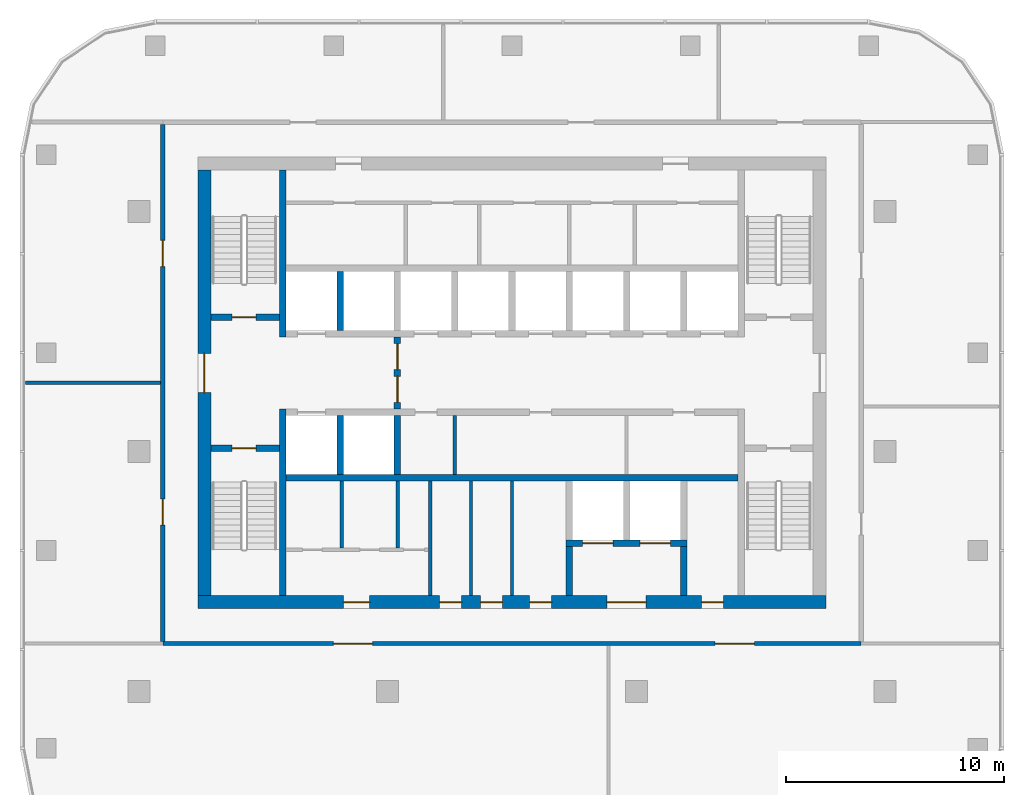
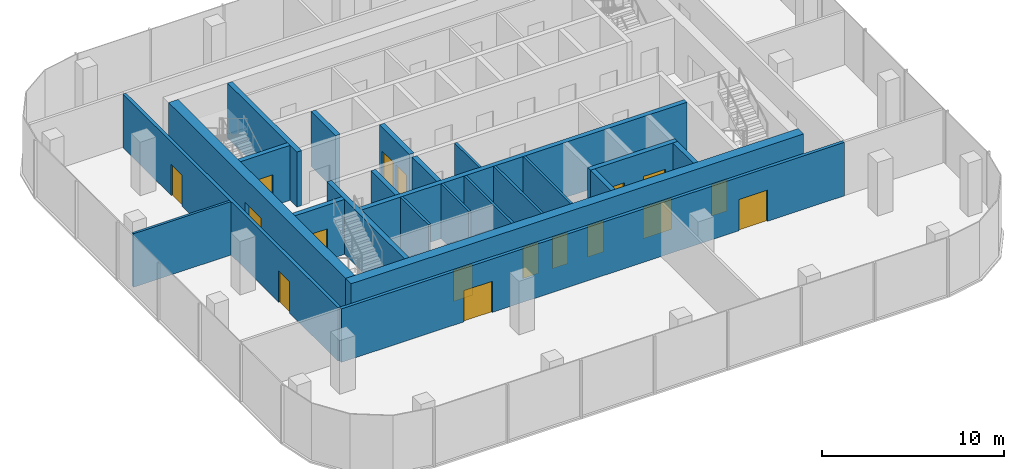
# One storey, part 6 of 9: 23 walls, 17 doors, 17 openings.
"""IFC4 building model written with IfcOpenShell, lengths in metres."""

from ifc_helpers import new_model, si_unit, direction, frame, frame_2d, origin, place, context, subcontext, project, spatial, rectangle, extrude, material, layer, layer_set, type_object, element, fill, save


model = new_model("IFC4")

# Units and contexts
model_context = context("Model", 3, precision=1e-05, world=origin(), true_north=direction((0.0, 1.0)))
body_context = subcontext(model_context, "Body", "Model", "MODEL_VIEW")
ifc_project = project(units=[si_unit("LENGTHUNIT", "METRE"), si_unit("AREAUNIT", "SQUARE_METRE"), si_unit("VOLUMEUNIT", "CUBIC_METRE"), si_unit("PLANEANGLEUNIT", "RADIAN"), si_unit("MASSUNIT", "GRAM", prefix="KILO")], contexts=[model_context])

# Site, building, storey
site_placement = place(None, origin())
site = spatial("IfcSite", under=ifc_project, at=site_placement, CompositionType="ELEMENT")
building_placement = place(site_placement, origin())
building = spatial("IfcBuilding", under=site, at=building_placement, Name="Mopane Tessera Tower", CompositionType="ELEMENT")
storey_placement = place(building_placement, frame((0.0, 0.0, 353.39990234375)))
storey = spatial("IfcBuildingStorey", under=building, at=storey_placement, Name="L77", CompositionType="ELEMENT", Elevation=353.39990234375)

# Walls
ifc_material_1 = material(Name="Fire-rated gypsum board partition")
ifc_layer_1 = layer(ifc_material_1, 0.14990234375)
ifc_layer_set_1 = layer_set([ifc_layer_1], Name="Fire-rated gypsum board partition")
wall_type_1 = type_object("IfcWallType", Name="Core room partition 150 mm", PredefinedType="PARTITIONING", material=ifc_layer_set_1)
for number, where, z_axis, x_axis, name in (
    (1, (-7.800048828125, -4.425048828125, 0.0), (0.0, 0.0, 1.0), (0.0, 1.0, 0.0), "L77 WC partition"),
    (2, (-5.235107421875, -4.425048828125, 0.0), (0.0, 0.0, 1.0), (0.0, 1.0, 0.0), "L77 WC partition"),
):
    element("IfcWall", number, at=place(storey_placement, frame(where, z_axis=z_axis, x_axis=x_axis)), inside=storey, type_object=wall_type_1, Name=name, PredefinedType="PARTITIONING", context=body_context, shape_type="SweptSolid", body=[
        extrude(rectangle(XDim=3.074951171875, YDim=0.14990234375, at=frame_2d((1.53759765625, 0.0))), origin(), (0.0, 0.0, 1.0), 3.7001953125),
    ])
for number, where, z_axis, x_axis, name in (
    (3, (-3.75, -6.60009765625, 0.0), (0.0, 0.0, 1.0), (0.0, 1.0, 0.0), "L77 Room partition"),
    (4, (-1.875, -6.60009765625, 0.0), (0.0, 0.0, 1.0), (0.0, 1.0, 0.0), "L77 Room partition"),
    (5, (0.0, -6.60009765625, 0.0), (0.0, 0.0, 1.0), (0.0, 1.0, 0.0), "L77 Room partition"),
):
    element("IfcWall", number, at=place(storey_placement, frame(where, z_axis=z_axis, x_axis=x_axis)), inside=storey, type_object=wall_type_1, Name=name, PredefinedType="PARTITIONING", context=body_context, shape_type="SweptSolid", body=[
        extrude(rectangle(XDim=5.25, YDim=0.14990234375, at=frame_2d((2.625, 0.0))), origin(), (0.0, 0.0, 1.0), 3.7001953125),
    ])
wall_1_placement = place(storey_placement, frame((-2.625, -1.050048828125, 0.0), z_axis=(0.0, 0.0, 1.0), x_axis=(0.0, 1.0, 0.0)))
element("IfcWall", 6, at=wall_1_placement, inside=storey, type_object=wall_type_1, Name="L77 Room partition", PredefinedType="PARTITIONING", context=body_context, shape_type="SweptSolid", body=[
    extrude(rectangle(XDim=2.699951171875, YDim=0.14990234375, at=frame_2d((1.35009765625, 0.0))), origin(), (0.0, 0.0, 1.0), 3.7001953125),
])

# Wall, openings, doors
ifc_material_2 = material(Name="Concrete C70/85", Category="concrete")
ifc_layer_2 = layer(ifc_material_2, 0.60009765625)
ifc_layer_set_2 = layer_set([ifc_layer_2], Name="Concrete C70/85")
wall_type_2 = type_object("IfcWallType", Name="Core shear wall 600 mm", PredefinedType="SHEAR", material=ifc_layer_set_2)
wall_2_placement = place(storey_placement, frame((-14.39990234375, -6.89990234375, 0.0), z_axis=(0.0, 0.0, 1.0), x_axis=(1.0, 0.0, 0.0)))
wall_2 = element("IfcWall", 7, at=wall_2_placement, inside=storey, type_object=wall_type_2, Name="L77 Core wall south", PredefinedType="SHEAR", context=body_context, shape_type="SweptSolid", body=[
    extrude(rectangle(XDim=28.7998046875, YDim=0.60009765625, at=frame_2d((14.39990234375, 0.0))), origin(), (0.0, 0.0, 1.0), 3.7001953125),
])
opening_1_placement = place(wall_2_placement, frame((6.675048828125, 0.0, 0.0)))
opening_1 = element("IfcOpeningElement", 8, at=opening_1_placement, cuts=wall_2, Name="Opening WD3", PredefinedType="OPENING", context=body_context, shape_type="SweptSolid", body=[
    extrude(rectangle(XDim=1.199951171875, YDim=2.10009765625, at=frame_2d((0.60009765625, 1.050048828125))), frame((0.0, 0.31201171875, 0.0), z_axis=(0.0, -1.0, 0.0), x_axis=(1.0, 0.0, 0.0)), (0.0, 0.0, 1.0), 0.6240234375),
])
opening_2_placement = place(wall_2_placement, frame((11.08740234375, 0.0, 0.0)))
opening_2 = element("IfcOpeningElement", 9, at=opening_2_placement, cuts=wall_2, Name="Opening RD1", PredefinedType="OPENING", context=body_context, shape_type="SweptSolid", body=[
    extrude(rectangle(XDim=1.0, YDim=2.10009765625, at=frame_2d((0.5, 1.050048828125))), frame((0.0, 0.31201171875, 0.0), z_axis=(0.0, -1.0, 0.0), x_axis=(1.0, 0.0, 0.0)), (0.0, 0.0, 1.0), 0.6240234375),
])
opening_3_placement = place(wall_2_placement, frame((12.96240234375, 0.0, 0.0)))
opening_3 = element("IfcOpeningElement", 10, at=opening_3_placement, cuts=wall_2, Name="Opening RD1", PredefinedType="OPENING", context=body_context, shape_type="SweptSolid", body=[
    extrude(rectangle(XDim=1.0, YDim=2.10009765625, at=frame_2d((0.5, 1.050048828125))), frame((0.0, 0.31201171875, 0.0), z_axis=(0.0, -1.0, 0.0), x_axis=(1.0, 0.0, 0.0)), (0.0, 0.0, 1.0), 0.6240234375),
])
opening_4_placement = place(wall_2_placement, frame((15.21240234375, 0.0, 0.0)))
opening_4 = element("IfcOpeningElement", 11, at=opening_4_placement, cuts=wall_2, Name="Opening RD1", PredefinedType="OPENING", context=body_context, shape_type="SweptSolid", body=[
    extrude(rectangle(XDim=1.0, YDim=2.10009765625, at=frame_2d((0.5, 1.050048828125))), frame((0.0, 0.31201171875, 0.0), z_axis=(0.0, -1.0, 0.0), x_axis=(1.0, 0.0, 0.0)), (0.0, 0.0, 1.0), 0.6240234375),
])
opening_5_placement = place(wall_2_placement, frame((18.75, 0.0, 0.0)))
opening_5 = element("IfcOpeningElement", 12, at=opening_5_placement, cuts=wall_2, Name="Opening SD2", PredefinedType="OPENING", context=body_context, shape_type="SweptSolid", body=[
    extrude(rectangle(XDim=1.800048828125, YDim=2.10009765625, at=frame_2d((0.89990234375, 1.050048828125))), frame((0.0, 0.31201171875, 0.0), z_axis=(0.0, -1.0, 0.0), x_axis=(1.0, 0.0, 0.0)), (0.0, 0.0, 1.0), 0.6240234375),
])
opening_6_placement = place(wall_2_placement, frame((23.08740234375, 0.0, 0.0)))
opening_6 = element("IfcOpeningElement", 13, at=opening_6_placement, cuts=wall_2, Name="Opening RD1", PredefinedType="OPENING", context=body_context, shape_type="SweptSolid", body=[
    extrude(rectangle(XDim=1.0, YDim=2.10009765625, at=frame_2d((0.5, 1.050048828125))), frame((0.0, 0.31201171875, 0.0), z_axis=(0.0, -1.0, 0.0), x_axis=(1.0, 0.0, 0.0)), (0.0, 0.0, 1.0), 0.6240234375),
])
ifc_material_3 = material(Name="Steel fire door", Category="steel")
door_type_1 = type_object("IfcDoorType", Name="Core entrance double door 1800 x 2100", OperationType="DOUBLE_DOOR_SINGLE_SWING", PredefinedType="DOOR", material=ifc_material_3)
door_1_placement = place(opening_5_placement, origin())
door_1 = element("IfcDoor", 14, at=door_1_placement, inside=storey, type_object=door_type_1, Name="L77 Service lobby door", OperationType="DOUBLE_DOOR_SINGLE_SWING", OverallHeight=2.10009765625, OverallWidth=1.800048828125, PredefinedType="DOOR", context=body_context, shape_type="SweptSolid", body=[
    extrude(rectangle(XDim=1.800048828125, YDim=2.10009765625, at=frame_2d((0.89990234375, 1.050048828125))), frame((0.0, 0.02490234375, 0.0), z_axis=(0.0, -1.0, 0.0), x_axis=(1.0, 0.0, 0.0)), (0.0, 0.0, 1.0), 0.050048828125),
])
fill(opening_5, door_1)
ifc_material_4 = material(Name="Timber door", Category="wood")
door_type_2 = type_object("IfcDoorType", Name="Core room door 1000 x 2100", OperationType="SINGLE_SWING_LEFT", PredefinedType="DOOR", material=ifc_material_4)
door_2_placement = place(opening_2_placement, origin())
door_2 = element("IfcDoor", 15, at=door_2_placement, inside=storey, type_object=door_type_2, Name="L77 Room door", OperationType="SINGLE_SWING_LEFT", OverallHeight=2.10009765625, OverallWidth=1.0, PredefinedType="DOOR", context=body_context, shape_type="SweptSolid", body=[
    extrude(rectangle(XDim=1.0, YDim=2.10009765625, at=frame_2d((0.5, 1.050048828125))), frame((0.0, 0.02490234375, 0.0), z_axis=(0.0, -1.0, 0.0), x_axis=(1.0, 0.0, 0.0)), (0.0, 0.0, 1.0), 0.050048828125),
])
fill(opening_2, door_2)
door_3_placement = place(opening_3_placement, origin())
door_3 = element("IfcDoor", 16, at=door_3_placement, inside=storey, type_object=door_type_2, Name="L77 Room door", OperationType="SINGLE_SWING_LEFT", OverallHeight=2.10009765625, OverallWidth=1.0, PredefinedType="DOOR", context=body_context, shape_type="SweptSolid", body=[
    extrude(rectangle(XDim=1.0, YDim=2.10009765625, at=frame_2d((0.5, 1.050048828125))), frame((0.0, 0.02490234375, 0.0), z_axis=(0.0, -1.0, 0.0), x_axis=(1.0, 0.0, 0.0)), (0.0, 0.0, 1.0), 0.050048828125),
])
fill(opening_3, door_3)
door_4_placement = place(opening_4_placement, origin())
door_4 = element("IfcDoor", 17, at=door_4_placement, inside=storey, type_object=door_type_2, Name="L77 Room door", OperationType="SINGLE_SWING_LEFT", OverallHeight=2.10009765625, OverallWidth=1.0, PredefinedType="DOOR", context=body_context, shape_type="SweptSolid", body=[
    extrude(rectangle(XDim=1.0, YDim=2.10009765625, at=frame_2d((0.5, 1.050048828125))), frame((0.0, 0.02490234375, 0.0), z_axis=(0.0, -1.0, 0.0), x_axis=(1.0, 0.0, 0.0)), (0.0, 0.0, 1.0), 0.050048828125),
])
fill(opening_4, door_4)
door_5_placement = place(opening_6_placement, origin())
door_5 = element("IfcDoor", 18, at=door_5_placement, inside=storey, type_object=door_type_2, Name="L77 Room door", OperationType="SINGLE_SWING_LEFT", OverallHeight=2.10009765625, OverallWidth=1.0, PredefinedType="DOOR", context=body_context, shape_type="SweptSolid", body=[
    extrude(rectangle(XDim=1.0, YDim=2.10009765625, at=frame_2d((0.5, 1.050048828125))), frame((0.0, 0.02490234375, 0.0), z_axis=(0.0, -1.0, 0.0), x_axis=(1.0, 0.0, 0.0)), (0.0, 0.0, 1.0), 0.050048828125),
])
fill(opening_6, door_5)
ifc_material_5 = material(Name="Timber door", Category="wood")
door_type_3 = type_object("IfcDoorType", Name="WC lobby door 1200 x 2100", OperationType="SINGLE_SWING_LEFT", PredefinedType="DOOR", material=ifc_material_5)
door_6_placement = place(opening_1_placement, origin())
door_6 = element("IfcDoor", 19, at=door_6_placement, inside=storey, type_object=door_type_3, Name="L77 WC lobby door", OperationType="SINGLE_SWING_LEFT", OverallHeight=2.10009765625, OverallWidth=1.199951171875, PredefinedType="DOOR", context=body_context, shape_type="SweptSolid", body=[
    extrude(rectangle(XDim=1.199951171875, YDim=2.10009765625, at=frame_2d((0.60009765625, 1.050048828125))), frame((0.0, 0.02490234375, 0.0), z_axis=(0.0, -1.0, 0.0), x_axis=(1.0, 0.0, 0.0)), (0.0, 0.0, 1.0), 0.050048828125),
])
fill(opening_1, door_6)

# Wall, opening, door
wall_3_placement = place(storey_placement, frame((-14.10009765625, -6.60009765625, 0.0), z_axis=(0.0, 0.0, 1.0), x_axis=(0.0, 1.0, 0.0)))
wall_3 = element("IfcWall", 20, at=wall_3_placement, inside=storey, type_object=wall_type_2, Name="L77 Core wall west", PredefinedType="SHEAR", context=body_context, shape_type="SweptSolid", body=[
    extrude(rectangle(XDim=19.5, YDim=0.60009765625, at=frame_2d((9.75, 0.0))), origin(), (0.0, 0.0, 1.0), 3.7001953125),
])
opening_7_placement = place(wall_3_placement, frame((9.300048828125, 0.0, 0.0)))
opening_7 = element("IfcOpeningElement", 21, at=opening_7_placement, cuts=wall_3, Name="Opening SD2", PredefinedType="OPENING", context=body_context, shape_type="SweptSolid", body=[
    extrude(rectangle(XDim=1.800048828125, YDim=2.10009765625, at=frame_2d((0.89990234375, 1.050048828125))), frame((0.0, 0.31201171875, 0.0), z_axis=(0.0, -1.0, 0.0), x_axis=(1.0, 0.0, 0.0)), (0.0, 0.0, 1.0), 0.6240234375),
])
door_7_placement = place(opening_7_placement, origin())
door_7 = element("IfcDoor", 22, at=door_7_placement, inside=storey, type_object=door_type_1, Name="L77 Core entrance door west", OperationType="DOUBLE_DOOR_SINGLE_SWING", OverallHeight=2.10009765625, OverallWidth=1.800048828125, PredefinedType="DOOR", context=body_context, shape_type="SweptSolid", body=[
    extrude(rectangle(XDim=1.800048828125, YDim=2.10009765625, at=frame_2d((0.89990234375, 1.050048828125))), frame((0.0, 0.02490234375, 0.0), z_axis=(0.0, -1.0, 0.0), x_axis=(1.0, 0.0, 0.0)), (0.0, 0.0, 1.0), 0.050048828125),
])
fill(opening_7, door_7)

# Walls
ifc_material_6 = material(Name="Concrete C60/75", Category="concrete")
ifc_layer_3 = layer(ifc_material_6, 0.300048828125)
ifc_layer_set_3 = layer_set([ifc_layer_3], Name="Concrete C60/75")
wall_type_3 = type_object("IfcWallType", Name="Core spine wall 300 mm", PredefinedType="SHEAR", material=ifc_layer_set_3)
wall_4_placement = place(storey_placement, frame((-10.5, -6.60009765625, 0.0), z_axis=(0.0, 0.0, 1.0), x_axis=(0.0, 1.0, 0.0)))
element("IfcWall", 23, at=wall_4_placement, inside=storey, type_object=wall_type_3, Name="L77 Core spine wall", PredefinedType="SHEAR", context=body_context, shape_type="SweptSolid", body=[
    extrude(rectangle(XDim=8.550048828125, YDim=0.300048828125, at=frame_2d((4.27490234375, 0.0))), origin(), (0.0, 0.0, 1.0), 3.7001953125),
])
wall_5_placement = place(storey_placement, frame((-10.5, 5.25, 0.0), z_axis=(0.0, 0.0, 1.0), x_axis=(0.0, 1.0, 0.0)))
element("IfcWall", 24, at=wall_5_placement, inside=storey, type_object=wall_type_3, Name="L77 Core spine wall", PredefinedType="SHEAR", context=body_context, shape_type="SweptSolid", body=[
    extrude(rectangle(XDim=7.64990234375, YDim=0.300048828125, at=frame_2d((3.824951171875, 0.0))), origin(), (0.0, 0.0, 1.0), 3.7001953125),
])

# Wall, openings, doors
ifc_material_7 = material(Name="Gypsum board on steel studs, two layers each face, mineral wool infill", Category="steel")
ifc_layer_4 = layer(ifc_material_7, 0.199951171875)
ifc_layer_set_4 = layer_set([ifc_layer_4], Name="Gypsum board on steel studs, two layers each face, mineral wool infill")
wall_type_4 = type_object("IfcWallType", Name="Gypsum board corridor wall 200, rated EI 60", PredefinedType="PARTITIONING", material=ifc_layer_set_4)
wall_6_placement = place(storey_placement, frame((-16.0, -8.800048828125, 0.0), z_axis=(0.0, 0.0, 1.0), x_axis=(1.0, 0.0, 0.0)))
wall_6 = element("IfcWall", 25, at=wall_6_placement, inside=storey, type_object=wall_type_4, Name="Partition L77:002", PredefinedType="PARTITIONING", context=body_context, shape_type="SweptSolid", body=[
    extrude(rectangle(XDim=32.0, YDim=0.199951171875, at=frame_2d((16.0, 0.0))), origin(), (0.0, 0.0, 1.0), 3.60009765625),
])
opening_8_placement = place(wall_6_placement, frame((25.31005859375, 0.0, 0.0)))
opening_8 = element("IfcOpeningElement", 26, at=opening_8_placement, cuts=wall_6, Name="Opening L77-05", PredefinedType="OPENING", context=body_context, shape_type="SweptSolid", body=[
    extrude(rectangle(XDim=1.800048828125, YDim=2.10009765625, at=frame_2d((0.89990234375, 1.050048828125))), frame((0.0, 0.112060546875, 0.0), z_axis=(0.0, -1.0, 0.0), x_axis=(1.0, 0.0, 0.0)), (0.0, 0.0, 1.0), 0.223876953125),
])
opening_9_placement = place(wall_6_placement, frame((7.81005859375, 0.0, 0.0)))
opening_9 = element("IfcOpeningElement", 27, at=opening_9_placement, cuts=wall_6, Name="Opening L77-08", PredefinedType="OPENING", context=body_context, shape_type="SweptSolid", body=[
    extrude(rectangle(XDim=1.800048828125, YDim=2.10009765625, at=frame_2d((0.89990234375, 1.050048828125))), frame((0.0, 0.112060546875, 0.0), z_axis=(0.0, -1.0, 0.0), x_axis=(1.0, 0.0, 0.0)), (0.0, 0.0, 1.0), 0.223876953125),
])
ifc_material_8 = material(Name="Timber veneered steel-framed fire door", Category="steel")
door_type_4 = type_object("IfcDoorType", Name="Fire door pair FD60 1800 x 2100", OperationType="DOUBLE_DOOR_SINGLE_SWING", PredefinedType="DOOR", material=ifc_material_8)
door_8_placement = place(opening_8_placement, origin())
door_8 = element("IfcDoor", 28, at=door_8_placement, inside=storey, type_object=door_type_4, Name="Door L77-05", ObjectType="D20A", OperationType="DOUBLE_DOOR_SINGLE_SWING", OverallHeight=2.10009765625, OverallWidth=1.800048828125, PredefinedType="DOOR", context=body_context, shape_type="SweptSolid", body=[
    extrude(rectangle(XDim=1.800048828125, YDim=2.10009765625, at=frame_2d((0.89990234375, 1.050048828125))), frame((0.0, 0.02490234375, 0.0), z_axis=(0.0, -1.0, 0.0), x_axis=(1.0, 0.0, 0.0)), (0.0, 0.0, 1.0), 0.050048828125),
])
fill(opening_8, door_8)
door_9_placement = place(opening_9_placement, origin())
door_9 = element("IfcDoor", 29, at=door_9_placement, inside=storey, type_object=door_type_4, Name="Door L77-08", ObjectType="D20A", OperationType="DOUBLE_DOOR_SINGLE_SWING", OverallHeight=2.10009765625, OverallWidth=1.800048828125, PredefinedType="DOOR", context=body_context, shape_type="SweptSolid", body=[
    extrude(rectangle(XDim=1.800048828125, YDim=2.10009765625, at=frame_2d((0.89990234375, 1.050048828125))), frame((0.0, 0.02490234375, 0.0), z_axis=(0.0, -1.0, 0.0), x_axis=(1.0, 0.0, 0.0)), (0.0, 0.0, 1.0), 0.050048828125),
])
fill(opening_9, door_9)

wall_7_placement = place(storey_placement, frame((-16.0, -8.699951171875, 0.0), z_axis=(0.0, 0.0, 1.0), x_axis=(0.0, 1.0, 0.0)))
wall_7 = element("IfcWall", 30, at=wall_7_placement, inside=storey, type_object=wall_type_4, Name="Partition L77:008", PredefinedType="PARTITIONING", context=body_context, shape_type="SweptSolid", body=[
    extrude(rectangle(XDim=23.699951171875, YDim=0.199951171875, at=frame_2d((11.85009765625, 0.0))), origin(), (0.0, 0.0, 1.0), 3.60009765625),
])
opening_10_placement = place(wall_7_placement, frame((5.324951171875, 0.0, 0.0)))
opening_10 = element("IfcOpeningElement", 31, at=opening_10_placement, cuts=wall_7, Name="Opening L77-04", PredefinedType="OPENING", context=body_context, shape_type="SweptSolid", body=[
    extrude(rectangle(XDim=1.199951171875, YDim=2.10009765625, at=frame_2d((0.60009765625, 1.050048828125))), frame((0.0, 0.112060546875, 0.0), z_axis=(0.0, -1.0, 0.0), x_axis=(1.0, 0.0, 0.0)), (0.0, 0.0, 1.0), 0.223876953125),
])
opening_11_placement = place(wall_7_placement, frame((17.175048828125, 0.0, 0.0)))
opening_11 = element("IfcOpeningElement", 32, at=opening_11_placement, cuts=wall_7, Name="Opening L77-09", PredefinedType="OPENING", context=body_context, shape_type="SweptSolid", body=[
    extrude(rectangle(XDim=1.199951171875, YDim=2.10009765625, at=frame_2d((0.60009765625, 1.050048828125))), frame((0.0, 0.112060546875, 0.0), z_axis=(0.0, -1.0, 0.0), x_axis=(1.0, 0.0, 0.0)), (0.0, 0.0, 1.0), 0.223876953125),
])
ifc_material_9 = material(Name="Timber veneered steel-framed fire door", Category="steel")
door_type_5 = type_object("IfcDoorType", Name="Fire door FD60 1200 x 2100", OperationType="SINGLE_SWING_LEFT", PredefinedType="DOOR", material=ifc_material_9)
door_10_placement = place(opening_10_placement, origin())
door_10 = element("IfcDoor", 33, at=door_10_placement, inside=storey, type_object=door_type_5, Name="Door L77-04", ObjectType="D15A", OperationType="SINGLE_SWING_LEFT", OverallHeight=2.10009765625, OverallWidth=1.199951171875, PredefinedType="DOOR", context=body_context, shape_type="SweptSolid", body=[
    extrude(rectangle(XDim=1.199951171875, YDim=2.10009765625, at=frame_2d((0.60009765625, 1.050048828125))), frame((0.0, 0.02490234375, 0.0), z_axis=(0.0, -1.0, 0.0), x_axis=(1.0, 0.0, 0.0)), (0.0, 0.0, 1.0), 0.050048828125),
])
fill(opening_10, door_10)
door_11_placement = place(opening_11_placement, origin())
door_11 = element("IfcDoor", 34, at=door_11_placement, inside=storey, type_object=door_type_5, Name="Door L77-09", ObjectType="D15A", OperationType="SINGLE_SWING_RIGHT", OverallHeight=2.10009765625, OverallWidth=1.199951171875, PredefinedType="DOOR", context=body_context, shape_type="SweptSolid", body=[
    extrude(rectangle(XDim=1.199951171875, YDim=2.10009765625, at=frame_2d((0.60009765625, 1.050048828125))), frame((0.0, 0.02490234375, 0.0), z_axis=(0.0, -1.0, 0.0), x_axis=(1.0, 0.0, 0.0)), (0.0, 0.0, 1.0), 0.050048828125),
])
fill(opening_11, door_11)

# Wall
ifc_material_10 = material(Name="Gypsum board on steel studs, mineral wool infill", Category="steel")
ifc_layer_5 = layer(ifc_material_10, 0.14990234375)
ifc_layer_set_5 = layer_set([ifc_layer_5], Name="Gypsum board on steel studs, mineral wool infill")
wall_type_5 = type_object("IfcWallType", Name="Gypsum board partition 150, rated EI 60", PredefinedType="PARTITIONING", material=ifc_layer_set_5)
wall_8_placement = place(storey_placement, frame((-22.300048828125, 3.14990234375, 0.0), z_axis=(0.0, 0.0, 1.0), x_axis=(1.0, 0.0, 0.0)))
element("IfcWall", 35, at=wall_8_placement, inside=storey, type_object=wall_type_5, Name="Partition L77:004", PredefinedType="PARTITIONING", context=body_context, shape_type="SweptSolid", body=[
    extrude(rectangle(XDim=6.199951171875, YDim=0.14990234375, at=frame_2d((3.10009765625, 0.0))), origin(), (0.0, 0.0, 1.0), 3.60009765625),
])

# Wall, opening, door
ifc_material_11 = material(Name="Concrete C50/60", Category="concrete")
ifc_layer_6 = layer(ifc_material_11, 0.300048828125)
ifc_layer_set_6 = layer_set([ifc_layer_6], Name="Concrete C50/60")
wall_type_6 = type_object("IfcWallType", Name="Lift and stair shaft wall 300 mm", PredefinedType="SOLIDWALL", material=ifc_layer_set_6)
wall_9_placement = place(storey_placement, frame((-13.800048828125, 0.14990234375, 0.0), z_axis=(0.0, 0.0, 1.0), x_axis=(1.0, 0.0, 0.0)))
wall_9 = element("IfcWall", 36, at=wall_9_placement, inside=storey, type_object=wall_type_6, Name="L77 Stair enclosure wall", PredefinedType="SOLIDWALL", context=body_context, shape_type="SweptSolid", body=[
    extrude(rectangle(XDim=3.150146484375, YDim=0.300048828125, at=frame_2d((1.5751953125, 0.0))), origin(), (0.0, 0.0, 1.0), 3.7001953125),
])
opening_12_placement = place(wall_9_placement, frame((0.97509765625, 0.0, 0.0)))
opening_12 = element("IfcOpeningElement", 37, at=opening_12_placement, cuts=wall_9, Name="Opening SD1", PredefinedType="OPENING", context=body_context, shape_type="SweptSolid", body=[
    extrude(rectangle(XDim=1.10009765625, YDim=2.10009765625, at=frame_2d((0.550048828125, 1.050048828125))), frame((0.0, 0.162109375, 0.0), z_axis=(0.0, -1.0, 0.0), x_axis=(1.0, 0.0, 0.0)), (0.0, 0.0, 1.0), 0.323974609375),
])
ifc_material_12 = material(Name="Steel fire door", Category="steel")
door_type_6 = type_object("IfcDoorType", Name="Stair fire door 1100 x 2100", OperationType="SINGLE_SWING_LEFT", PredefinedType="DOOR", material=ifc_material_12)
door_12_placement = place(opening_12_placement, origin())
door_12 = element("IfcDoor", 38, at=door_12_placement, inside=storey, type_object=door_type_6, Name="L77 Stair door ST1", OperationType="SINGLE_SWING_LEFT", OverallHeight=2.10009765625, OverallWidth=1.10009765625, PredefinedType="DOOR", context=body_context, shape_type="SweptSolid", body=[
    extrude(rectangle(XDim=1.10009765625, YDim=2.10009765625, at=frame_2d((0.550048828125, 1.050048828125))), frame((0.0, 0.02490234375, 0.0), z_axis=(0.0, -1.0, 0.0), x_axis=(1.0, 0.0, 0.0)), (0.0, 0.0, 1.0), 0.050048828125),
])
fill(opening_12, door_12)

wall_10_placement = place(storey_placement, frame((-13.800048828125, 6.14990234375, 0.0), z_axis=(0.0, 0.0, 1.0), x_axis=(1.0, 0.0, 0.0)))
wall_10 = element("IfcWall", 39, at=wall_10_placement, inside=storey, type_object=wall_type_6, Name="L77 Stair enclosure wall", PredefinedType="SOLIDWALL", context=body_context, shape_type="SweptSolid", body=[
    extrude(rectangle(XDim=3.150146484375, YDim=0.300048828125, at=frame_2d((1.5751953125, 0.0))), origin(), (0.0, 0.0, 1.0), 3.7001953125),
])
opening_13_placement = place(wall_10_placement, frame((0.97509765625, 0.0, 0.0)))
opening_13 = element("IfcOpeningElement", 40, at=opening_13_placement, cuts=wall_10, Name="Opening SD1", PredefinedType="OPENING", context=body_context, shape_type="SweptSolid", body=[
    extrude(rectangle(XDim=1.10009765625, YDim=2.10009765625, at=frame_2d((0.550048828125, 1.050048828125))), frame((0.0, 0.162109375, 0.0), z_axis=(0.0, -1.0, 0.0), x_axis=(1.0, 0.0, 0.0)), (0.0, 0.0, 1.0), 0.323974609375),
])
door_13_placement = place(opening_13_placement, origin())
door_13 = element("IfcDoor", 41, at=door_13_placement, inside=storey, type_object=door_type_6, Name="L77 Stair door ST2", OperationType="SINGLE_SWING_LEFT", OverallHeight=2.10009765625, OverallWidth=1.10009765625, PredefinedType="DOOR", context=body_context, shape_type="SweptSolid", body=[
    extrude(rectangle(XDim=1.10009765625, YDim=2.10009765625, at=frame_2d((0.550048828125, 1.050048828125))), frame((0.0, 0.02490234375, 0.0), z_axis=(0.0, -1.0, 0.0), x_axis=(1.0, 0.0, 0.0)), (0.0, 0.0, 1.0), 0.050048828125),
])
fill(opening_13, door_13)

# Walls
wall_11_placement = place(storey_placement, frame((-10.35009765625, -1.199951171875, 0.0), z_axis=(0.0, 0.0, 1.0), x_axis=(1.0, 0.0, 0.0)))
element("IfcWall", 42, at=wall_11_placement, inside=storey, type_object=wall_type_6, Name="L77 Lift shaft rear wall", PredefinedType="SOLIDWALL", context=body_context, shape_type="SweptSolid", body=[
    extrude(rectangle(XDim=20.7001953125, YDim=0.300048828125, at=frame_2d((10.35009765625, 0.0))), origin(), (0.0, 0.0, 1.0), 3.7001953125),
])
for number, where, z_axis, x_axis, name in (
    (43, (-7.875, -1.050048828125, 0.0), (0.0, 0.0, 1.0), (0.0, 1.0, 0.0), "L77 Lift shaft wall"),
    (44, (-5.25, -1.050048828125, 0.0), (0.0, 0.0, 1.0), (0.0, 1.0, 0.0), "L77 Lift shaft wall"),
    (45, (-7.875, 5.550048828125, 0.0), (0.0, 0.0, 1.0), (0.0, 1.0, 0.0), "L77 Lift shaft wall"),
):
    element("IfcWall", number, at=place(storey_placement, frame(where, z_axis=z_axis, x_axis=x_axis)), inside=storey, type_object=wall_type_6, Name=name, PredefinedType="SOLIDWALL", context=body_context, shape_type="SweptSolid", body=[
        extrude(rectangle(XDim=2.699951171875, YDim=0.300048828125, at=frame_2d((1.35009765625, 0.0))), origin(), (0.0, 0.0, 1.0), 3.7001953125),
    ])

# Wall, openings, doors
wall_12_placement = place(storey_placement, frame((2.47509765625, -4.199951171875, 0.0), z_axis=(0.0, 0.0, 1.0), x_axis=(1.0, 0.0, 0.0)))
wall_12 = element("IfcWall", 46, at=wall_12_placement, inside=storey, type_object=wall_type_6, Name="L77 Lift shaft front wall", PredefinedType="SOLIDWALL", context=body_context, shape_type="SweptSolid", body=[
    extrude(rectangle(XDim=5.5498046875, YDim=0.300048828125, at=frame_2d((2.77490234375, 0.0))), origin(), (0.0, 0.0, 1.0), 3.7001953125),
])
opening_14_placement = place(wall_12_placement, frame((0.762451171875, 0.0, 0.0)))
opening_14 = element("IfcOpeningElement", 47, at=opening_14_placement, cuts=wall_12, Name="Opening LD3", PredefinedType="OPENING", context=body_context, shape_type="SweptSolid", body=[
    extrude(rectangle(XDim=1.39990234375, YDim=2.10009765625, at=frame_2d((0.699951171875, 1.050048828125))), frame((0.0, 0.162109375, 0.0), z_axis=(0.0, -1.0, 0.0), x_axis=(1.0, 0.0, 0.0)), (0.0, 0.0, 1.0), 0.323974609375),
])
opening_15_placement = place(wall_12_placement, frame((3.387451171875, 0.0, 0.0)))
opening_15 = element("IfcOpeningElement", 48, at=opening_15_placement, cuts=wall_12, Name="Opening LD3", PredefinedType="OPENING", context=body_context, shape_type="SweptSolid", body=[
    extrude(rectangle(XDim=1.39990234375, YDim=2.10009765625, at=frame_2d((0.699951171875, 1.050048828125))), frame((0.0, 0.162109375, 0.0), z_axis=(0.0, -1.0, 0.0), x_axis=(1.0, 0.0, 0.0)), (0.0, 0.0, 1.0), 0.323974609375),
])
ifc_material_13 = material(Name="Stainless steel sliding door", Category="steel")
door_type_7 = type_object("IfcDoorType", Name="Service lift landing door 1400 x 2100", OperationType="DOUBLE_DOOR_SLIDING", PredefinedType="DOOR", material=ifc_material_13)
door_14_placement = place(opening_14_placement, origin())
door_14 = element("IfcDoor", 49, at=door_14_placement, inside=storey, type_object=door_type_7, Name="L77 Lift landing door SV1", OperationType="DOUBLE_DOOR_SLIDING", OverallHeight=2.10009765625, OverallWidth=1.39990234375, PredefinedType="DOOR", context=body_context, shape_type="SweptSolid", body=[
    extrude(rectangle(XDim=1.39990234375, YDim=2.10009765625, at=frame_2d((0.699951171875, 1.050048828125))), frame((0.0, 0.02490234375, 0.0), z_axis=(0.0, -1.0, 0.0), x_axis=(1.0, 0.0, 0.0)), (0.0, 0.0, 1.0), 0.050048828125),
])
fill(opening_14, door_14)
door_15_placement = place(opening_15_placement, origin())
door_15 = element("IfcDoor", 50, at=door_15_placement, inside=storey, type_object=door_type_7, Name="L77 Lift landing door SV2", OperationType="DOUBLE_DOOR_SLIDING", OverallHeight=2.10009765625, OverallWidth=1.39990234375, PredefinedType="DOOR", context=body_context, shape_type="SweptSolid", body=[
    extrude(rectangle(XDim=1.39990234375, YDim=2.10009765625, at=frame_2d((0.699951171875, 1.050048828125))), frame((0.0, 0.02490234375, 0.0), z_axis=(0.0, -1.0, 0.0), x_axis=(1.0, 0.0, 0.0)), (0.0, 0.0, 1.0), 0.050048828125),
])
fill(opening_15, door_15)

ifc_material_14 = material(Name="Concrete C50/60", Category="concrete")
ifc_layer_7 = layer(ifc_material_14, 0.300048828125)
ifc_layer_set_7 = layer_set([ifc_layer_7], Name="Concrete C50/60")
wall_type_7 = type_object("IfcWallType", Name="Lobby and refuge room wall 300 mm", PredefinedType="SOLIDWALL", material=ifc_layer_set_7)
wall_13_placement = place(storey_placement, frame((-5.25, 1.949951171875, 0.0), z_axis=(0.0, 0.0, 1.0), x_axis=(0.0, 1.0, 0.0)))
wall_13 = element("IfcWall", 51, at=wall_13_placement, inside=storey, type_object=wall_type_7, Name="L77 Fire-fighting lobby wall", PredefinedType="SOLIDWALL", context=body_context, shape_type="SweptSolid", body=[
    extrude(rectangle(XDim=3.300048828125, YDim=0.300048828125, at=frame_2d((1.64990234375, 0.0))), origin(), (0.0, 0.0, 1.0), 3.7001953125),
])
opening_16_placement = place(wall_13_placement, frame((0.300048828125, 0.0, 0.0)))
opening_16 = element("IfcOpeningElement", 52, at=opening_16_placement, cuts=wall_13, Name="Opening SD3", PredefinedType="OPENING", context=body_context, shape_type="SweptSolid", body=[
    extrude(rectangle(XDim=1.199951171875, YDim=2.10009765625, at=frame_2d((0.60009765625, 1.050048828125))), frame((0.0, 0.162109375, 0.0), z_axis=(0.0, -1.0, 0.0), x_axis=(1.0, 0.0, 0.0)), (0.0, 0.0, 1.0), 0.323974609375),
])
opening_17_placement = place(wall_13_placement, frame((1.800048828125, 0.0, 0.0)))
opening_17 = element("IfcOpeningElement", 53, at=opening_17_placement, cuts=wall_13, Name="Opening SD3", PredefinedType="OPENING", context=body_context, shape_type="SweptSolid", body=[
    extrude(rectangle(XDim=1.199951171875, YDim=2.10009765625, at=frame_2d((0.60009765625, 1.050048828125))), frame((0.0, 0.162109375, 0.0), z_axis=(0.0, -1.0, 0.0), x_axis=(1.0, 0.0, 0.0)), (0.0, 0.0, 1.0), 0.323974609375),
])
ifc_material_15 = material(Name="Steel fire door", Category="steel")
door_type_8 = type_object("IfcDoorType", Name="Lobby fire door 1200 x 2100", OperationType="SINGLE_SWING_LEFT", PredefinedType="DOOR", material=ifc_material_15)
door_16_placement = place(opening_16_placement, origin())
door_16 = element("IfcDoor", 54, at=door_16_placement, inside=storey, type_object=door_type_8, Name="L77 Fire-fighting lobby door", OperationType="SINGLE_SWING_LEFT", OverallHeight=2.10009765625, OverallWidth=1.199951171875, PredefinedType="DOOR", context=body_context, shape_type="SweptSolid", body=[
    extrude(rectangle(XDim=1.199951171875, YDim=2.10009765625, at=frame_2d((0.60009765625, 1.050048828125))), frame((0.0, 0.02490234375, 0.0), z_axis=(0.0, -1.0, 0.0), x_axis=(1.0, 0.0, 0.0)), (0.0, 0.0, 1.0), 0.050048828125),
])
fill(opening_16, door_16)
door_17_placement = place(opening_17_placement, origin())
door_17 = element("IfcDoor", 55, at=door_17_placement, inside=storey, type_object=door_type_8, Name="L77 Fire-fighting lobby door", OperationType="SINGLE_SWING_RIGHT", OverallHeight=2.10009765625, OverallWidth=1.199951171875, PredefinedType="DOOR", context=body_context, shape_type="SweptSolid", body=[
    extrude(rectangle(XDim=1.199951171875, YDim=2.10009765625, at=frame_2d((0.60009765625, 1.050048828125))), frame((0.0, 0.02490234375, 0.0), z_axis=(0.0, -1.0, 0.0), x_axis=(1.0, 0.0, 0.0)), (0.0, 0.0, 1.0), 0.050048828125),
])
fill(opening_17, door_17)

# Walls
for number, where, z_axis, x_axis, name in (
    (56, (2.625, -6.60009765625, 0.0), (0.0, 0.0, 1.0), (0.0, 1.0, 0.0), "L77 Service lobby wall"),
    (57, (7.875, -6.60009765625, 0.0), (0.0, 0.0, 1.0), (0.0, 1.0, 0.0), "L77 Service lobby wall"),
):
    element("IfcWall", number, at=place(storey_placement, frame(where, z_axis=z_axis, x_axis=x_axis)), inside=storey, type_object=wall_type_7, Name=name, PredefinedType="SOLIDWALL", context=body_context, shape_type="SweptSolid", body=[
        extrude(rectangle(XDim=2.25, YDim=0.300048828125, at=frame_2d((1.125, 0.0))), origin(), (0.0, 0.0, 1.0), 3.7001953125),
    ])

save(model, "model.ifc")
